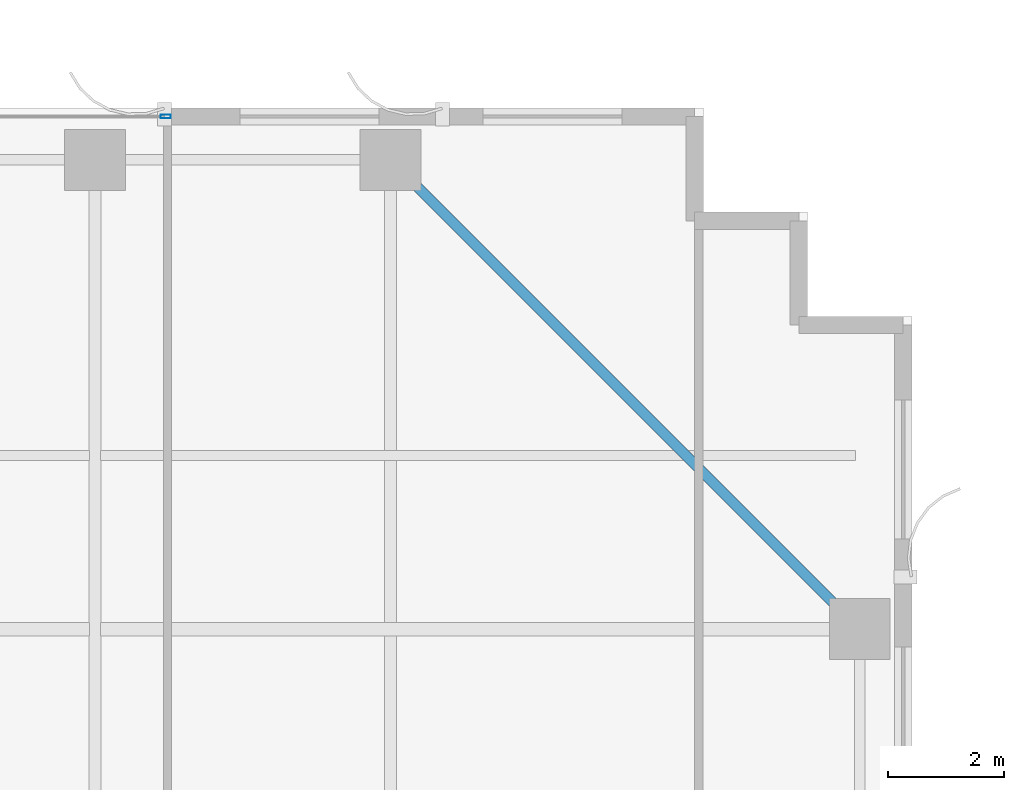
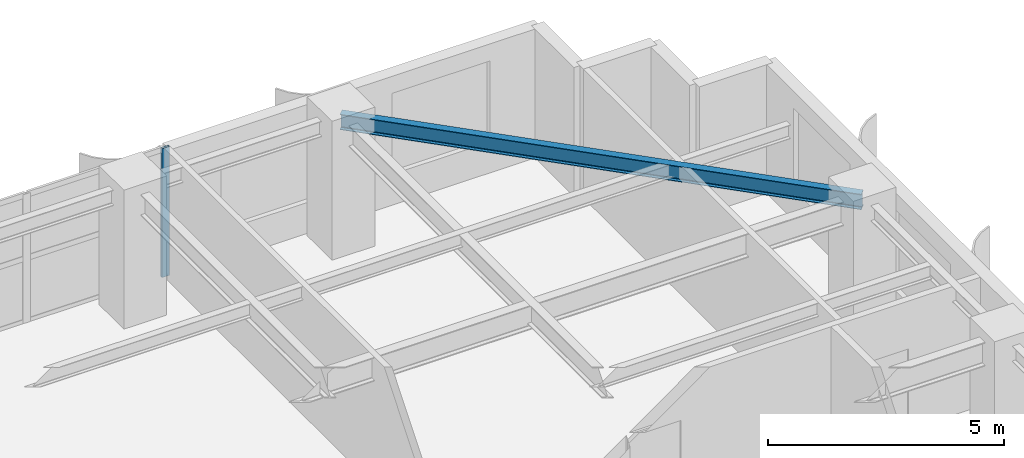
# One storey, part 18 of 26: 1 beam, 1 member, 1 element without a shape of its own.
"""IFC4 building model written with IfcOpenShell, lengths in metres."""

from ifc_helpers import new_model, si_unit, direction, frame, origin, origin_2d, place, context, subcontext, project, spatial, hollow_rectangle, i_section, extrude, source, transform, mapped, material, layer, layer_set, material_profile, profile_set, type_object, element, aggregate, save


model = new_model("IFC4")

# Units and contexts
model_context = context("Model", 3, precision=1e-05, world=origin(), true_north=direction((0.0, 1.0)))
body_context = subcontext(model_context, "Body", "Model", "MODEL_VIEW")
ifc_project = project(units=[si_unit("LENGTHUNIT", "METRE"), si_unit("AREAUNIT", "SQUARE_METRE"), si_unit("VOLUMEUNIT", "CUBIC_METRE"), si_unit("PLANEANGLEUNIT", "RADIAN"), si_unit("MASSUNIT", "GRAM", prefix="KILO")], contexts=[model_context])

# Site, building, storey
site_placement = place(None, origin())
site = spatial("IfcSite", under=ifc_project, at=site_placement, CompositionType="ELEMENT")
building_placement = place(site_placement, origin())
building = spatial("IfcBuilding", under=site, at=building_placement, Name="Khoralis Quay Care Tower", CompositionType="ELEMENT")
storey_placement = place(building_placement, frame((0.0, 0.0, 126.89990234375)))
storey = spatial("IfcBuildingStorey", under=building, at=storey_placement, Name="L33", CompositionType="ELEMENT", Elevation=126.89990234375)

# Beam
ifc_material_1 = material(Name="Steel S355", Category="steel")
ifc_material_profile_1 = material_profile(ifc_material_1, i_section(OverallWidth=0.179931640625, OverallDepth=0.39990234375, WebThickness=0.008544921875, FlangeThickness=0.013427734375, FilletRadius=0.02099609375, at=origin_2d()), Name="Steel S355")
ifc_profile_set_1 = profile_set([ifc_material_profile_1], Name="Steel S355")
beam_type = type_object("IfcBeamType", Name="BM-IPE400", PredefinedType="SPANDREL", material=ifc_profile_set_1)
shared_shape_1 = source(origin(), body_context, "Body", "SweptSolid", [
    extrude(i_section(OverallWidth=0.179931640625, OverallDepth=0.39990234375, WebThickness=0.008544921875, FlangeThickness=0.013427734375, FilletRadius=0.02099609375, at=origin_2d()), origin(), (0.0, 0.0, 1.0), 11.455322265625),
])
beam_placement = place(storey_placement, frame((36.0, 44.10009765625, 3.14013671875), z_axis=(0.707106781187, -0.707106781187, 0.0), x_axis=(0.707106781187, 0.707106781187, 0.0)))
element("IfcBeam", 1, at=beam_placement, inside=storey, type_object=beam_type, Name="BM-TCR-L33-24", PredefinedType="SPANDREL", context=body_context, shape_type="MappedRepresentation", body=[
    mapped(shared_shape_1, transform((0.0, 0.0, 0.0), scale=1.0)),
])

# Curtain wall, member
ifc_material_2 = material(Name="Pale anodised aluminium", Category="aluminium")
ifc_layer = layer(ifc_material_2, 0.169921875)
ifc_layer_set = layer_set([ifc_layer], Name="Pale anodised aluminium")
curtain_wall_type = type_object("IfcCurtainWallType", Name="CW-SYS-Z2", PredefinedType="NOTDEFINED", material=ifc_layer_set)
curtain_wall_placement = place(storey_placement, origin())
curtain_wall = element("IfcCurtainWall", 2, at=curtain_wall_placement, inside=storey, type_object=curtain_wall_type, Name="L33 Unitised Curtain Wall CW-L33-P1-E10", PredefinedType="NOTDEFINED")
ifc_material_profile_2 = material_profile(ifc_material_2, hollow_rectangle(XDim=0.06494140625, YDim=0.179931640625, WallThickness=0.00390625, at=origin_2d()), Name="Pale anodised aluminium")
ifc_profile_set_2 = profile_set([ifc_material_profile_2], Name="Pale anodised aluminium")
member_type = type_object("IfcMemberType", Name="CW-MUL-180", PredefinedType="MULLION", material=ifc_profile_set_2)
shared_shape_2 = source(origin(), body_context, "Body", "SweptSolid", [
    extrude(hollow_rectangle(XDim=0.06494140625, YDim=0.179931640625, WallThickness=0.00390625, at=origin_2d()), origin(), (0.0, 0.0, 1.0), 3.340087890625),
])
member_placement = place(storey_placement, frame((32.1201171875, 44.85009765625, 0.0), z_axis=(0.0, 0.0, 1.0), x_axis=(0.0, -1.0, 0.0)))
member = element("IfcMember", 3, at=member_placement, type_object=member_type, Name="CW2 mullion 1", PredefinedType="MULLION", context=body_context, shape_type="MappedRepresentation", body=[
    mapped(shared_shape_2, transform((0.0, 0.0, 0.0), scale=1.0)),
])
aggregate(curtain_wall, [member])

save(model, "model.ifc")
